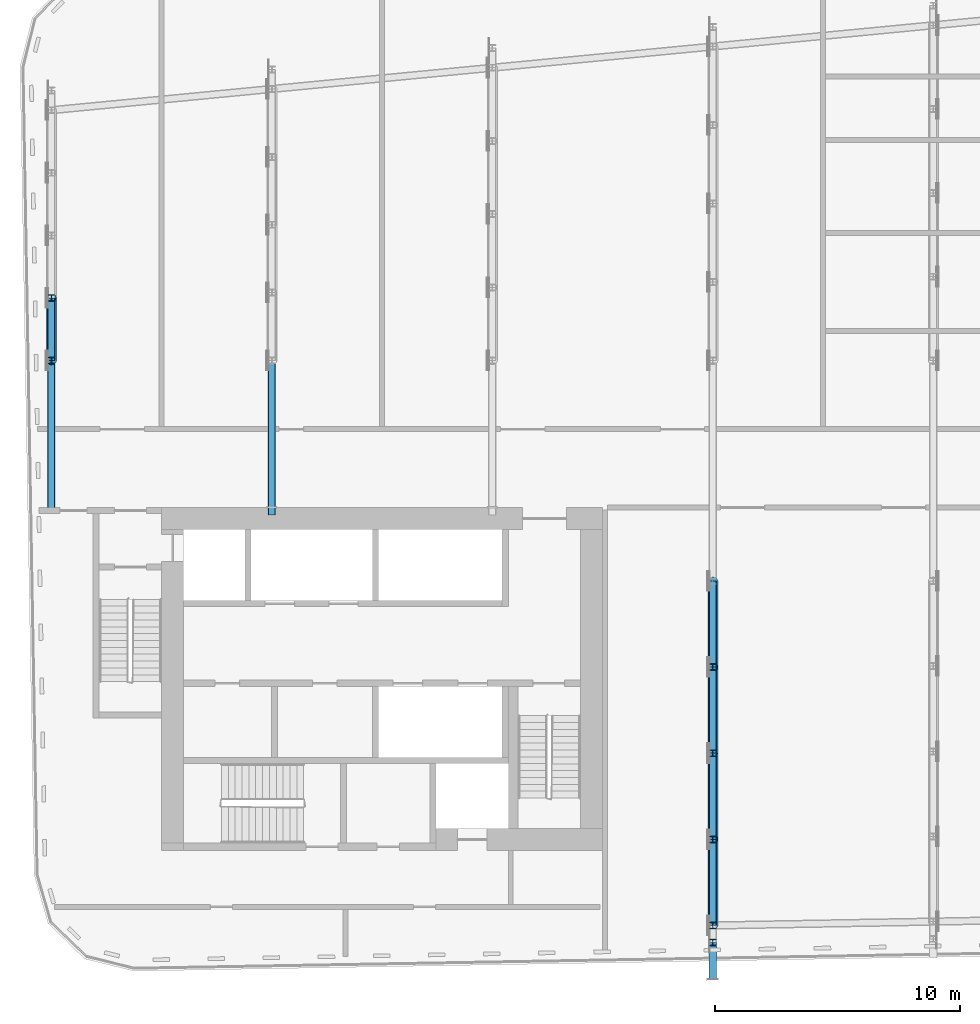
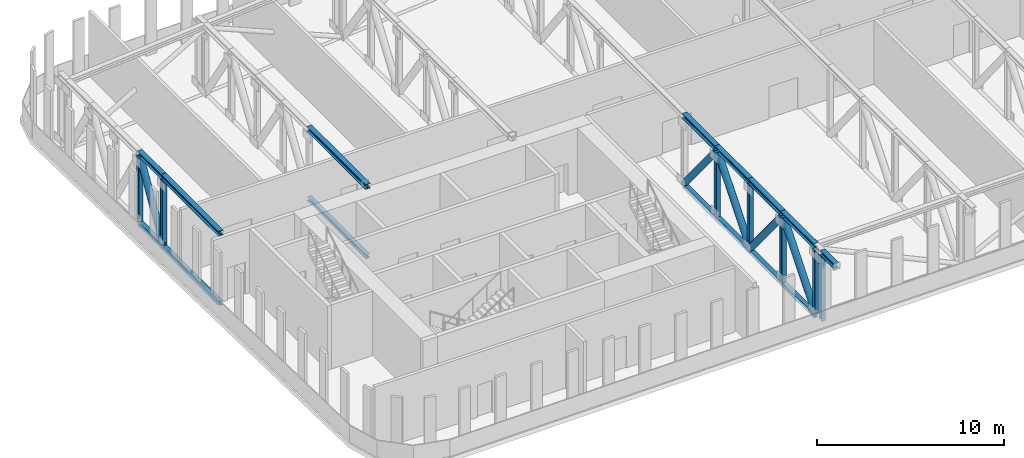
# One storey, part 1 of 26: 27 members.
"""IFC4 building model written with IfcOpenShell, lengths in metres."""

from ifc_helpers import new_model, si_unit, direction, frame, origin, origin_2d, place, context, subcontext, project, spatial, hollow_circle, i_section, extrude, material, material_profile, profile_set, type_object, element, save


model = new_model("IFC4")

# Units and contexts
model_context = context("Model", 3, precision=1e-05, world=origin(), true_north=direction((0.0, 1.0)))
body_context = subcontext(model_context, "Body", "Model", "MODEL_VIEW")
ifc_project = project(units=[si_unit("LENGTHUNIT", "METRE"), si_unit("AREAUNIT", "SQUARE_METRE"), si_unit("VOLUMEUNIT", "CUBIC_METRE"), si_unit("PLANEANGLEUNIT", "RADIAN"), si_unit("MASSUNIT", "GRAM", prefix="KILO")], contexts=[model_context])

# Site, building, storey
site_placement = place(None, origin())
site = spatial("IfcSite", under=ifc_project, at=site_placement, CompositionType="ELEMENT")
building_placement = place(site_placement, origin())
building = spatial("IfcBuilding", under=site, at=building_placement, Name="Kajstack Hotel Tower", CompositionType="ELEMENT")
storey_placement = place(building_placement, frame((0.0, 0.0, 257.300048828125)))
storey = spatial("IfcBuildingStorey", under=building, at=storey_placement, Name="L64", CompositionType="ELEMENT", Elevation=257.300048828125)

# Members
ifc_material = material(Name="Steel S355J2", Category="steel")
ifc_material_profile_1 = material_profile(ifc_material, i_section(OverallWidth=0.260009765625, OverallDepth=0.260009765625, WebThickness=0.010009765625, FlangeThickness=0.017578125, FilletRadius=0.02392578125, at=origin_2d()), Name="HEB 260")
ifc_profile_set_1 = profile_set([ifc_material_profile_1], Name="Steel S355J2")
member_type_1 = type_object("IfcMemberType", Name="Belt truss bottom chord BC5 HEB 260", PredefinedType="CHORD", material=ifc_profile_set_1)
member_1_placement = place(storey_placement, frame((-36.0, -1.64990234375, -0.130126953125), z_axis=(0.0, 1.0, 0.0), x_axis=(-1.0, 0.0, 0.0)))
element("IfcMember", 1, at=member_1_placement, inside=storey, type_object=member_type_1, Name="S-belt-truss-L64--36p0-1-bc7", PredefinedType="CHORD", context=body_context, shape_type="SweptSolid", body=[
    extrude(i_section(OverallWidth=0.260009765625, OverallDepth=0.260009765625, WebThickness=0.010009765625, FlangeThickness=0.017578125, FilletRadius=0.02392578125, at=origin_2d()), origin(), (0.0, 0.0, 1.0), 6.14990234375),
])
member_2_placement = place(storey_placement, frame((-36.0, 4.5, -0.130126953125), z_axis=(0.0, 1.0, 0.0), x_axis=(-1.0, 0.0, 0.0)))
element("IfcMember", 2, at=member_2_placement, inside=storey, type_object=member_type_1, Name="S-belt-truss-L64--36p0-1-bc8", PredefinedType="CHORD", context=body_context, shape_type="SweptSolid", body=[
    extrude(i_section(OverallWidth=0.260009765625, OverallDepth=0.260009765625, WebThickness=0.010009765625, FlangeThickness=0.017578125, FilletRadius=0.02392578125, at=origin_2d()), origin(), (0.0, 0.0, 1.0), 2.5546875),
])
member_3_placement = place(storey_placement, frame((-27.0, -1.800048828125, -0.130126953125), z_axis=(0.0, 1.0, 0.0), x_axis=(-1.0, 0.0, 0.0)))
element("IfcMember", 3, at=member_3_placement, inside=storey, type_object=member_type_1, Name="S-outrigger-truss-L64--27p0-1-bc7", PredefinedType="CHORD", context=body_context, shape_type="SweptSolid", body=[
    extrude(i_section(OverallWidth=0.260009765625, OverallDepth=0.260009765625, WebThickness=0.010009765625, FlangeThickness=0.017578125, FilletRadius=0.02392578125, at=origin_2d()), origin(), (0.0, 0.0, 1.0), 6.300048828125),
])
for number, where, z_axis, x_axis, name in (
    (4, (-9.0, -18.5625, -0.130126953125), (0.0, 1.0, 0.0), (-1.0, 0.0, 0.0), "S-belt-truss-L64--9p0-1-bc14"),
    (5, (-9.0, -15.046875, -0.130126953125), (0.0, 1.0, 0.0), (-1.0, 0.0, 0.0), "S-belt-truss-L64--9p0-1-bc15"),
    (6, (-9.0, -11.53125, -0.130126953125), (0.0, 1.0, 0.0), (-1.0, 0.0, 0.0), "S-belt-truss-L64--9p0-1-bc16"),
    (7, (-9.0, -8.015625, -0.130126953125), (0.0, 1.0, 0.0), (-1.0, 0.0, 0.0), "S-belt-truss-L64--9p0-1-bc17"),
):
    element("IfcMember", number, at=place(storey_placement, frame(where, z_axis=z_axis, x_axis=x_axis)), inside=storey, type_object=member_type_1, Name=name, PredefinedType="CHORD", context=body_context, shape_type="SweptSolid", body=[
        extrude(i_section(OverallWidth=0.260009765625, OverallDepth=0.260009765625, WebThickness=0.010009765625, FlangeThickness=0.017578125, FilletRadius=0.02392578125, at=origin_2d()), origin(), (0.0, 0.0, 1.0), 3.515625),
    ])
ifc_material_profile_2 = material_profile(ifc_material, hollow_circle(Radius=0.203125, WallThickness=0.01611328125, at=origin_2d()), Name="CHS 406.4x16")
ifc_profile_set_2 = profile_set([ifc_material_profile_2], Name="Steel S355J2")
member_type_2 = type_object("IfcMemberType", Name="Belt truss diagonal DG5 CHS 406.4x16", PredefinedType="BRACE", material=ifc_profile_set_2)
member_4_placement = place(storey_placement, frame((-36.0, 4.5, 0.0), z_axis=(0.0, 0.51252799478, 0.85867051572), x_axis=(-1.0, 0.0, 0.0)))
element("IfcMember", 8, at=member_4_placement, inside=storey, type_object=member_type_2, Name="S-belt-truss-L64--36p0-1-dg19", PredefinedType="BRACE", context=body_context, shape_type="SweptSolid", body=[
    extrude(hollow_circle(Radius=0.203125, WallThickness=0.01611328125, at=origin_2d()), origin(), (0.0, 0.0, 1.0), 4.984375),
])
for number, where, z_axis, x_axis, name in (
    (9, (-9.0, -18.5625, 0.0), (0.0, 0.63472720356, 0.772736292056), (-1.0, 0.0, 0.0), "S-belt-truss-L64--9p0-1-dg36"),
    (10, (-9.0, -11.53125, 0.0), (0.0, -0.63472720356, 0.772736292056), (1.0, 0.0, 0.0), "S-belt-truss-L64--9p0-1-dg37"),
    (11, (-9.0, -11.53125, 0.0), (0.0, 0.63472720356, 0.772736292056), (-1.0, 0.0, 0.0), "S-belt-truss-L64--9p0-1-dg38"),
    (12, (-9.0, -4.5, 0.0), (0.0, -0.63472720356, 0.772736292056), (1.0, 0.0, 0.0), "S-belt-truss-L64--9p0-1-dg39"),
):
    element("IfcMember", number, at=place(storey_placement, frame(where, z_axis=z_axis, x_axis=x_axis)), inside=storey, type_object=member_type_2, Name=name, PredefinedType="BRACE", context=body_context, shape_type="SweptSolid", body=[
        extrude(hollow_circle(Radius=0.203125, WallThickness=0.01611328125, at=origin_2d()), origin(), (0.0, 0.0, 1.0), 5.538818359375),
    ])
ifc_material_profile_3 = material_profile(ifc_material, i_section(OverallWidth=0.260009765625, OverallDepth=0.260009765625, WebThickness=0.010009765625, FlangeThickness=0.017578125, FilletRadius=0.02392578125, at=origin_2d()), Name="HEB 260")
ifc_profile_set_3 = profile_set([ifc_material_profile_3], Name="Steel S355J2")
member_type_3 = type_object("IfcMemberType", Name="Belt truss post PO5 HEB 260", PredefinedType="POST", material=ifc_profile_set_3)
for number, where, z_axis, x_axis, name in (
    (13, (-36.0, 4.5, 0.0), (0.0, 0.0, 1.0), (1.0, 0.0, 0.0), "S-belt-truss-L64--36p0-1-po13"),
    (14, (-36.0, 7.0546875, 0.0), (0.0, 0.0, 1.0), (1.0, 0.0, 0.0), "S-belt-truss-L64--36p0-1-po14"),
    (15, (-9.0, -19.262451171875, 0.0), (0.0, 0.0, 1.0), (1.0, 0.0, 0.0), "S-belt-truss-L64--9p0-1-po24"),
    (16, (-9.0, -18.5625, 0.0), (0.0, 0.0, 1.0), (1.0, 0.0, 0.0), "S-belt-truss-L64--9p0-1-po25"),
    (17, (-9.0, -15.046875, 0.0), (0.0, 0.0, 1.0), (1.0, 0.0, 0.0), "S-belt-truss-L64--9p0-1-po26"),
    (18, (-9.0, -11.53125, 0.0), (0.0, 0.0, 1.0), (1.0, 0.0, 0.0), "S-belt-truss-L64--9p0-1-po27"),
    (19, (-9.0, -8.015625, 0.0), (0.0, 0.0, 1.0), (1.0, 0.0, 0.0), "S-belt-truss-L64--9p0-1-po28"),
):
    element("IfcMember", number, at=place(storey_placement, frame(where, z_axis=z_axis, x_axis=x_axis)), inside=storey, type_object=member_type_3, Name=name, PredefinedType="POST", context=body_context, shape_type="SweptSolid", body=[
        extrude(i_section(OverallWidth=0.260009765625, OverallDepth=0.260009765625, WebThickness=0.010009765625, FlangeThickness=0.017578125, FilletRadius=0.02392578125, at=origin_2d()), origin(), (0.0, 0.0, 1.0), 4.280029296875),
    ])
ifc_material_profile_4 = material_profile(ifc_material, i_section(OverallWidth=0.300048828125, OverallDepth=0.320068359375, WebThickness=0.011474609375, FlangeThickness=0.0205078125, FilletRadius=0.027099609375, at=origin_2d()), Name="HEB 320")
ifc_profile_set_4 = profile_set([ifc_material_profile_4], Name="Steel S355J2")
member_type_4 = type_object("IfcMemberType", Name="Belt truss top chord TC5 HEB 320", PredefinedType="CHORD", material=ifc_profile_set_4)
member_5_placement = place(storey_placement, frame((-36.0, -1.64990234375, 4.43994140625), z_axis=(0.0, 1.0, 0.0), x_axis=(-1.0, 0.0, 0.0)))
element("IfcMember", 20, at=member_5_placement, inside=storey, type_object=member_type_4, Name="S-belt-truss-L64--36p0-1-tc1", PredefinedType="CHORD", context=body_context, shape_type="SweptSolid", body=[
    extrude(i_section(OverallWidth=0.300048828125, OverallDepth=0.320068359375, WebThickness=0.011474609375, FlangeThickness=0.0205078125, FilletRadius=0.027099609375, at=origin_2d()), origin(), (0.0, 0.0, 1.0), 6.14990234375),
])
member_6_placement = place(storey_placement, frame((-36.0, 4.5, 4.43994140625), z_axis=(0.0, 1.0, 0.0), x_axis=(-1.0, 0.0, 0.0)))
element("IfcMember", 21, at=member_6_placement, inside=storey, type_object=member_type_4, Name="S-belt-truss-L64--36p0-1-tc2", PredefinedType="CHORD", context=body_context, shape_type="SweptSolid", body=[
    extrude(i_section(OverallWidth=0.300048828125, OverallDepth=0.320068359375, WebThickness=0.011474609375, FlangeThickness=0.0205078125, FilletRadius=0.027099609375, at=origin_2d()), origin(), (0.0, 0.0, 1.0), 2.5546875),
])
member_7_placement = place(storey_placement, frame((-27.0, -1.800048828125, 4.43994140625), z_axis=(0.0, 1.0, 0.0), x_axis=(-1.0, 0.0, 0.0)))
element("IfcMember", 22, at=member_7_placement, inside=storey, type_object=member_type_4, Name="S-outrigger-truss-L64--27p0-1-tc1", PredefinedType="CHORD", context=body_context, shape_type="SweptSolid", body=[
    extrude(i_section(OverallWidth=0.300048828125, OverallDepth=0.320068359375, WebThickness=0.011474609375, FlangeThickness=0.0205078125, FilletRadius=0.027099609375, at=origin_2d()), origin(), (0.0, 0.0, 1.0), 6.300048828125),
])
member_8_placement = place(storey_placement, frame((-9.0, -20.7626953125, 4.43994140625), z_axis=(0.0, 1.0, 0.0), x_axis=(-1.0, 0.0, 0.0)))
element("IfcMember", 23, at=member_8_placement, inside=storey, type_object=member_type_4, Name="S-belt-truss-L64--9p0-1-tc1", PredefinedType="CHORD", context=body_context, shape_type="SweptSolid", body=[
    extrude(i_section(OverallWidth=0.300048828125, OverallDepth=0.320068359375, WebThickness=0.011474609375, FlangeThickness=0.0205078125, FilletRadius=0.027099609375, at=origin_2d()), origin(), (0.0, 0.0, 1.0), 1.500244140625),
])
for number, where, z_axis, x_axis, name in (
    (24, (-9.0, -18.5625, 4.43994140625), (0.0, 1.0, 0.0), (-1.0, 0.0, 0.0), "S-belt-truss-L64--9p0-1-tc3"),
    (25, (-9.0, -15.046875, 4.43994140625), (0.0, 1.0, 0.0), (-1.0, 0.0, 0.0), "S-belt-truss-L64--9p0-1-tc4"),
    (26, (-9.0, -11.53125, 4.43994140625), (0.0, 1.0, 0.0), (-1.0, 0.0, 0.0), "S-belt-truss-L64--9p0-1-tc5"),
    (27, (-9.0, -8.015625, 4.43994140625), (0.0, 1.0, 0.0), (-1.0, 0.0, 0.0), "S-belt-truss-L64--9p0-1-tc6"),
):
    element("IfcMember", number, at=place(storey_placement, frame(where, z_axis=z_axis, x_axis=x_axis)), inside=storey, type_object=member_type_4, Name=name, PredefinedType="CHORD", context=body_context, shape_type="SweptSolid", body=[
        extrude(i_section(OverallWidth=0.300048828125, OverallDepth=0.320068359375, WebThickness=0.011474609375, FlangeThickness=0.0205078125, FilletRadius=0.027099609375, at=origin_2d()), origin(), (0.0, 0.0, 1.0), 3.515625),
    ])

save(model, "model.ifc")
